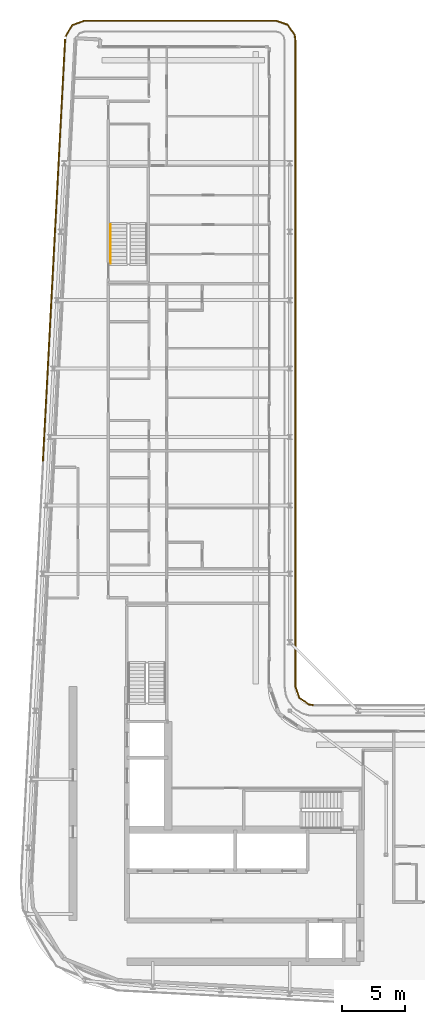
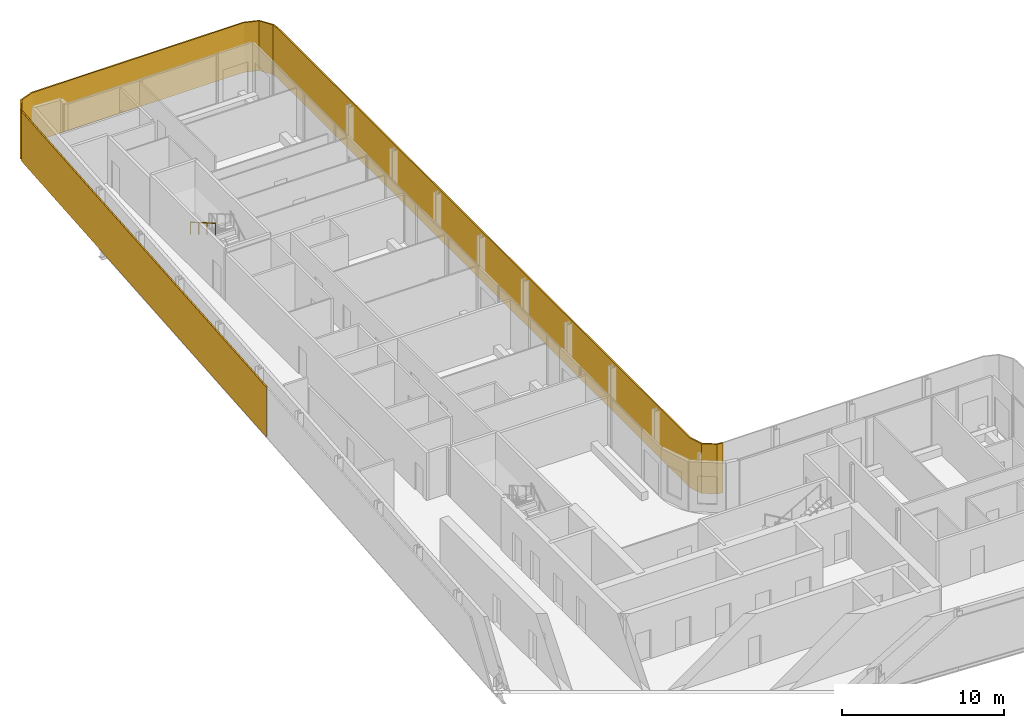
# One storey, part 19 of 21: 2 shading devices, 1 railing.
"""IFC4 building model written with IfcOpenShell, lengths in metres."""

from ifc_helpers import new_model, si_unit, direction, frame, origin, origin_2d, place, context, subcontext, project, spatial, polyline, rectangle, circle, outline, extrude, material, layer, layer_set, type_object, element, save


model = new_model("IFC4")

# Units and contexts
model_context = context("Model", 3, precision=1e-05, world=origin(), true_north=direction((0.0, 1.0)))
body_context = subcontext(model_context, "Body", "Model", "MODEL_VIEW")
ifc_project = project(units=[si_unit("LENGTHUNIT", "METRE"), si_unit("AREAUNIT", "SQUARE_METRE"), si_unit("VOLUMEUNIT", "CUBIC_METRE"), si_unit("PLANEANGLEUNIT", "RADIAN"), si_unit("MASSUNIT", "GRAM", prefix="KILO")], contexts=[model_context])

# Site, building, storey
site_placement = place(None, origin())
site = spatial("IfcSite", under=ifc_project, at=site_placement, CompositionType="ELEMENT")
building_placement = place(site_placement, origin())
building = spatial("IfcBuilding", under=site, at=building_placement, Name="Kheshtan School and Residences Tower", CompositionType="ELEMENT")
storey_placement = place(building_placement, frame((0.0, 0.0, 302.0)))
storey = spatial("IfcBuildingStorey", under=building, at=storey_placement, Name="L71", CompositionType="ELEMENT", Elevation=302.0)

# Shading devices
ifc_material_1 = material(Name="Terracotta baguette, extruded ceramic", Category="masonry")
ifc_layer_1 = layer(ifc_material_1, 0.10009765625)
ifc_layer_set_1 = layer_set([ifc_layer_1], Name="Ledge screen, terracotta baguettes")
shading_device_type_1 = type_object("IfcShadingDeviceType", Name="Ledge screen, terracotta baguettes", PredefinedType="USERDEFINED", material=ifc_layer_set_1)
shading_device_1_placement = place(storey_placement, frame((28.9990234375, 81.93408203125, 0.0), z_axis=(0.0, 0.0, 1.0), x_axis=(0.052562536748, 0.998617634398, 0.0)))
element("IfcShadingDevice", 1, at=shading_device_1_placement, inside=storey, type_object=shading_device_type_1, Name="Screen L71 5", ObjectType="BAGUETTE", PredefinedType="USERDEFINED", context=body_context, shape_type="SweptSolid", body=[
    extrude(rectangle(XDim=33.341064453125, YDim=0.10009765625, at=origin_2d()), origin(), (0.0, 0.0, 1.0), 3.75),
])
ifc_material_2 = material(Name="Terracotta lattice, extruded ceramic", Category="masonry")
ifc_layer_2 = layer(ifc_material_2, 0.10009765625)
ifc_layer_set_2 = layer_set([ifc_layer_2], Name="Loggia screen, terracotta lattice")
shading_device_type_2 = type_object("IfcShadingDeviceType", Name="Loggia screen, terracotta lattice", PredefinedType="USERDEFINED", material=ifc_layer_set_2)
shading_device_2_placement = place(storey_placement, origin())
element("IfcShadingDevice", 2, at=shading_device_2_placement, inside=storey, type_object=shading_device_type_2, Name="Screen L71 1", ObjectType="SCREEN", PredefinedType="USERDEFINED", context=body_context, shape_type="SweptSolid", body=[
    extrude(outline(polyline([(29.949951171875, 98.783935546875), (30.468017578125, 99.656982421875), (31.423095703125, 100.0), (46.5, 100.0), (47.4130859375, 99.68994140625), (47.948974609375, 98.887939453125), (48.0, 98.5), (48.0, 47.5), (48.31005859375, 46.5869140625), (49.112060546875, 46.051025390625), (49.5, 46.0), (49.512939453125, 46.09912109375), (49.14794921875, 46.14697265625), (48.39404296875, 46.65087890625), (48.10009765625, 47.51708984375), (48.10009765625, 98.507080078125), (48.044921875, 98.924072265625), (47.47705078125, 99.77392578125), (46.51708984375, 100.10009765625), (31.406005859375, 100.10009765625), (30.39990234375, 99.739013671875), (29.864013671875, 98.8349609375), (29.949951171875, 98.783935546875)])), origin(), (0.0, 0.0, 1.0), 3.75),
])

# Railing
ifc_material_3 = material(Name="Stainless steel handrail", Category="steel")
railing_type = type_object("IfcRailingType", Name="Stair handrail 900", PredefinedType="HANDRAIL", material=ifc_material_3)
railing_placement = place(storey_placement, frame((33.449951171875, 83.97998046875, 2.112548828125)))
element("IfcRailing", 3, at=railing_placement, inside=storey, type_object=railing_type, Name="L71 ST3 stair handrail 2", PredefinedType="HANDRAIL", context=body_context, shape_type="SweptSolid", body=[
    extrude(circle(Radius=0.02392578125, at=origin_2d()), frame((0.0, 0.0, 0.8759765625), z_axis=(0.0, -0.864920483161, 0.501908913857), x_axis=(1.0, 0.0, 0.0)), (0.0, 0.0, 1.0), 3.56103515625),
    extrude(circle(Radius=0.02099609375, at=origin_2d()), origin(), (0.0, 0.0, 1.0), 0.851806640625),
    extrude(circle(Radius=0.02099609375, at=origin_2d()), frame((0.0, -1.026611328125, 0.595703125)), (0.0, 0.0, 1.0), 0.851806640625),
    extrude(circle(Radius=0.02099609375, at=origin_2d()), frame((0.0, -2.053466796875, 1.191650390625)), (0.0, 0.0, 1.0), 0.851806640625),
    extrude(circle(Radius=0.02099609375, at=origin_2d()), frame((0.0, -3.080078125, 1.787353515625)), (0.0, 0.0, 1.0), 0.851806640625),
])

save(model, "model.ifc")
